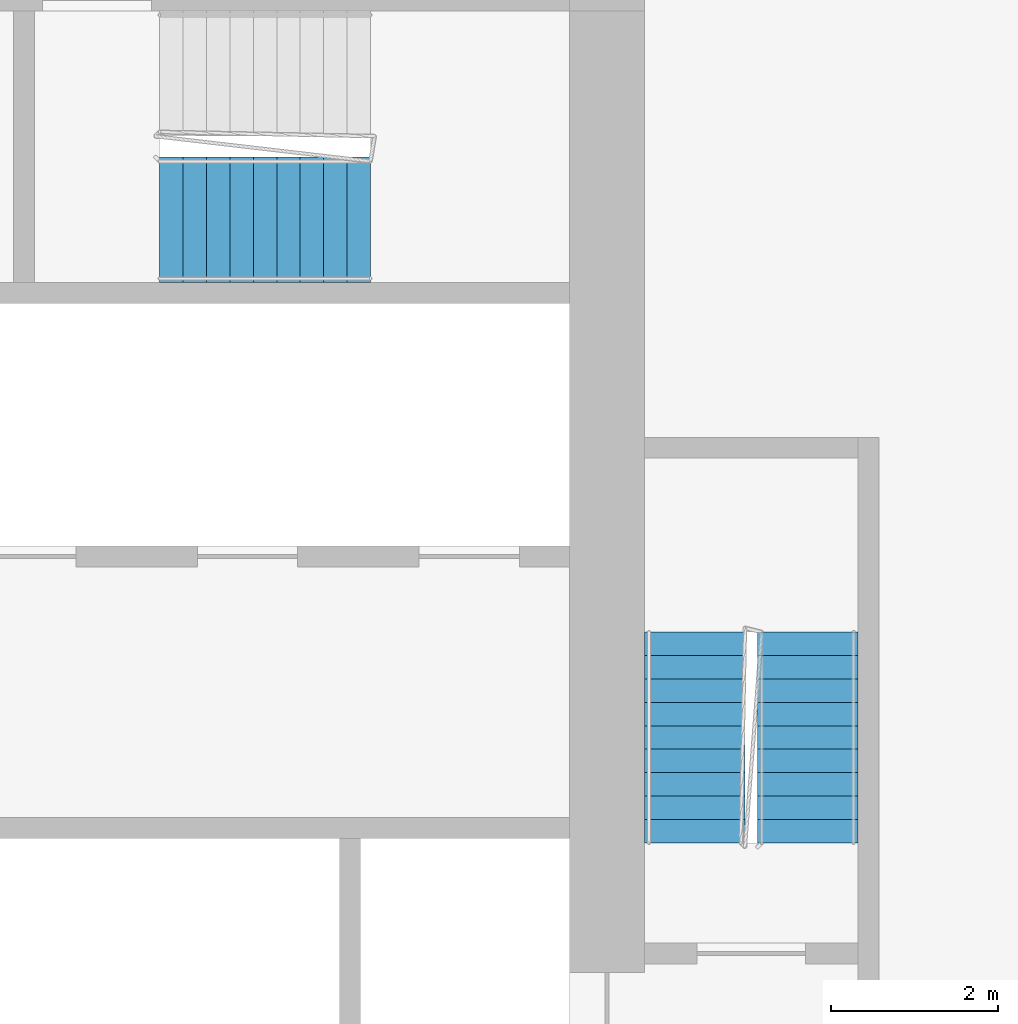
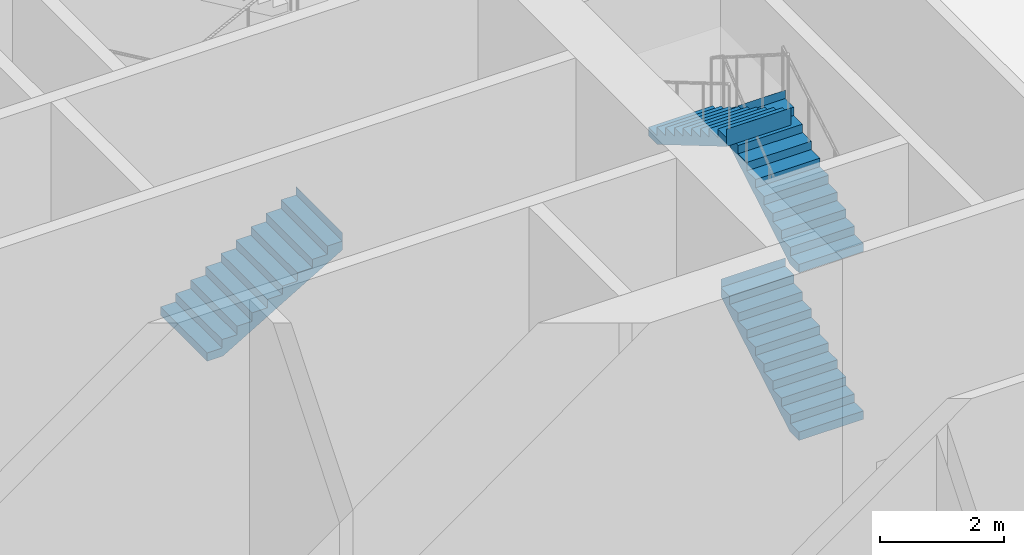
# One storey, part 21 of 25: 4 stair flights, 2 elements without a shape of their own.
"""IFC4 building model written with IfcOpenShell, lengths in metres."""

from ifc_helpers import new_model, si_unit, direction, frame, origin, place, context, subcontext, project, spatial, faceted_brep, material, type_object, element, aggregate, save


model = new_model("IFC4")

# Units and contexts
model_context = context("Model", 3, precision=1e-05, world=origin(), true_north=direction((0.0, 1.0)))
body_context = subcontext(model_context, "Body", "Model", "MODEL_VIEW")
ifc_project = project(units=[si_unit("LENGTHUNIT", "METRE"), si_unit("AREAUNIT", "SQUARE_METRE"), si_unit("VOLUMEUNIT", "CUBIC_METRE"), si_unit("PLANEANGLEUNIT", "RADIAN"), si_unit("MASSUNIT", "GRAM", prefix="KILO")], contexts=[model_context])

# Site, building, storey
site_placement = place(None, origin())
site = spatial("IfcSite", under=ifc_project, at=site_placement, CompositionType="ELEMENT")
building_placement = place(site_placement, origin())
building = spatial("IfcBuilding", under=site, at=building_placement, Name="Kajstack Hotel Tower", CompositionType="ELEMENT")
storey_placement = place(building_placement, frame((0.0, 0.0, 104.199951171875)))
storey = spatial("IfcBuildingStorey", under=building, at=storey_placement, Name="L22", CompositionType="ELEMENT", Elevation=104.199951171875)

# Stair, stair flights
ifc_material = material(Name="Concrete C40/50", Category="concrete")
stair_type_1 = type_object("IfcStairType", Name="Exit stair 1200", PredefinedType="HALF_TURN_STAIR", material=ifc_material)
stair_1_placement = place(storey_placement, origin())
stair_1 = element("IfcStair", 1, at=stair_1_placement, inside=storey, type_object=stair_type_1, Name="L22 stair E1", PredefinedType="HALF_TURN_STAIR")
stair_flight_type_1 = type_object("IfcStairFlightType", Name="Exit stair flight 1200", PredefinedType="STRAIGHT", material=ifc_material)
stair_flight_1_placement = place(storey_placement, frame((33.449951171875, 5.25, 0.0), z_axis=(0.0, 0.0, 1.0), x_axis=(0.0, 1.0, 0.0)))
stair_flight_1 = element("IfcStairFlight", 2, at=stair_flight_1_placement, type_object=stair_flight_type_1, Name="E1 flight 1", NumberOfRisers=10, NumberOfTreads=9, PredefinedType="STRAIGHT", RiserHeight=0.165, TreadLength=0.28, context=body_context, shape_type="Brep", body=[
    faceted_brep([(0.295654296875, -0.60009765625, 0.0), (2.5205078125, -0.60009765625, 1.31103515625), (2.5205078125, -0.60009765625, 1.64990234375), (2.52001953125, -0.60009765625, 1.64990234375), (2.52001953125, -0.60009765625, 1.485107421875), (2.239990234375, -0.60009765625, 1.485107421875), (2.239990234375, -0.60009765625, 1.320068359375), (1.9599609375, -0.60009765625, 1.320068359375), (1.9599609375, -0.60009765625, 1.155029296875), (1.679931640625, -0.60009765625, 1.155029296875), (1.679931640625, -0.60009765625, 0.989990234375), (1.39990234375, -0.60009765625, 0.989990234375), (1.39990234375, -0.60009765625, 0.824951171875), (1.1201171875, -0.60009765625, 0.824951171875), (1.1201171875, -0.60009765625, 0.659912109375), (0.840087890625, -0.60009765625, 0.659912109375), (0.840087890625, -0.60009765625, 0.4951171875), (0.56005859375, -0.60009765625, 0.4951171875), (0.56005859375, -0.60009765625, 0.330078125), (0.280029296875, -0.60009765625, 0.330078125), (0.280029296875, -0.60009765625, 0.1650390625), (-0.00048828125, -0.60009765625, 0.1650390625), (-0.00048828125, -0.60009765625, 0.0), (-0.00048828125, 0.60009765625, 0.0), (-0.00048828125, 0.60009765625, 0.1650390625), (0.280029296875, 0.60009765625, 0.1650390625), (0.280029296875, 0.60009765625, 0.330078125), (0.56005859375, 0.60009765625, 0.330078125), (0.56005859375, 0.60009765625, 0.4951171875), (0.840087890625, 0.60009765625, 0.4951171875), (0.840087890625, 0.60009765625, 0.659912109375), (1.1201171875, 0.60009765625, 0.659912109375), (1.1201171875, 0.60009765625, 0.824951171875), (1.39990234375, 0.60009765625, 0.824951171875), (1.39990234375, 0.60009765625, 0.989990234375), (1.679931640625, 0.60009765625, 0.989990234375), (1.679931640625, 0.60009765625, 1.155029296875), (1.9599609375, 0.60009765625, 1.155029296875), (1.9599609375, 0.60009765625, 1.320068359375), (2.239990234375, 0.60009765625, 1.320068359375), (2.239990234375, 0.60009765625, 1.485107421875), (2.52001953125, 0.60009765625, 1.485107421875), (2.52001953125, 0.60009765625, 1.64990234375), (2.5205078125, 0.60009765625, 1.64990234375), (2.5205078125, 0.60009765625, 1.31103515625), (0.295654296875, 0.60009765625, 0.0), (-0.00048828125, -0.300048828125, 0.1650390625), (-0.00048828125, 0.0, 0.1650390625), (-0.00048828125, 0.300048828125, 0.1650390625), (-0.00048828125, 0.300048828125, 0.0), (-0.00048828125, 0.0, 0.0), (-0.00048828125, -0.300048828125, 0.0), (0.280029296875, -0.300048828125, 0.1650390625), (0.280029296875, 0.0, 0.1650390625), (0.280029296875, 0.300048828125, 0.1650390625), (0.280029296875, -0.300048828125, 0.330078125), (0.280029296875, 0.0, 0.330078125), (0.280029296875, 0.300048828125, 0.330078125), (0.56005859375, -0.300048828125, 0.330078125), (0.56005859375, 0.0, 0.330078125), (0.56005859375, 0.300048828125, 0.330078125), (0.56005859375, -0.300048828125, 0.4951171875), (0.56005859375, 0.0, 0.4951171875), (0.56005859375, 0.300048828125, 0.4951171875), (0.840087890625, -0.300048828125, 0.4951171875), (0.840087890625, 0.0, 0.4951171875), (0.840087890625, 0.300048828125, 0.4951171875), (0.840087890625, -0.300048828125, 0.659912109375), (0.840087890625, 0.0, 0.659912109375), (0.840087890625, 0.300048828125, 0.659912109375), (1.1201171875, -0.300048828125, 0.659912109375), (1.1201171875, 0.0, 0.659912109375), (1.1201171875, 0.300048828125, 0.659912109375), (1.1201171875, -0.300048828125, 0.824951171875), (1.1201171875, 0.0, 0.824951171875), (1.1201171875, 0.300048828125, 0.824951171875), (1.39990234375, -0.300048828125, 0.824951171875), (1.39990234375, 0.0, 0.824951171875), (1.39990234375, 0.300048828125, 0.824951171875), (1.39990234375, -0.300048828125, 0.989990234375), (1.39990234375, 0.0, 0.989990234375), (1.39990234375, 0.300048828125, 0.989990234375), (1.679931640625, -0.300048828125, 0.989990234375), (1.679931640625, 0.0, 0.989990234375), (1.679931640625, 0.300048828125, 0.989990234375), (1.679931640625, -0.300048828125, 1.155029296875), (1.679931640625, 0.0, 1.155029296875), (1.679931640625, 0.300048828125, 1.155029296875), (1.9599609375, -0.300048828125, 1.155029296875), (1.9599609375, 0.0, 1.155029296875), (1.9599609375, 0.300048828125, 1.155029296875), (1.9599609375, -0.300048828125, 1.320068359375), (1.9599609375, 0.0, 1.320068359375), (1.9599609375, 0.300048828125, 1.320068359375), (2.239990234375, -0.300048828125, 1.320068359375), (2.239990234375, 0.0, 1.320068359375), (2.239990234375, 0.300048828125, 1.320068359375), (2.239990234375, -0.300048828125, 1.485107421875), (2.239990234375, 0.0, 1.485107421875), (2.239990234375, 0.300048828125, 1.485107421875), (2.52001953125, -0.300048828125, 1.485107421875), (2.52001953125, 0.0, 1.485107421875), (2.52001953125, 0.300048828125, 1.485107421875), (2.52001953125, -0.300048828125, 1.64990234375), (2.52001953125, 0.0, 1.64990234375), (2.52001953125, 0.300048828125, 1.64990234375), (2.5205078125, -0.300048828125, 1.64990234375), (2.5205078125, 0.0, 1.64990234375), (2.5205078125, 0.300048828125, 1.64990234375), (2.5205078125, -0.300048828125, 1.31103515625), (2.5205078125, 0.0, 1.31103515625), (2.5205078125, 0.300048828125, 1.31103515625), (0.295654296875, -0.300048828125, 0.0), (0.295654296875, 0.0, 0.0), (0.295654296875, 0.300048828125, 0.0)], [[[0, 1, 2, 3, 4, 5, 6, 7, 8, 9, 10, 11, 12, 13, 14, 15, 16, 17, 18, 19, 20, 21, 22]], [[23, 24, 25, 26, 27, 28, 29, 30, 31, 32, 33, 34, 35, 36, 37, 38, 39, 40, 41, 42, 43, 44, 45]], [[21, 46, 47, 48, 24, 23, 49, 50, 51, 22]], [[20, 52, 53, 54, 25, 24, 48, 47, 46, 21]], [[19, 55, 56, 57, 26, 25, 54, 53, 52, 20]], [[18, 58, 59, 60, 27, 26, 57, 56, 55, 19]], [[17, 61, 62, 63, 28, 27, 60, 59, 58, 18]], [[16, 64, 65, 66, 29, 28, 63, 62, 61, 17]], [[15, 67, 68, 69, 30, 29, 66, 65, 64, 16]], [[14, 70, 71, 72, 31, 30, 69, 68, 67, 15]], [[13, 73, 74, 75, 32, 31, 72, 71, 70, 14]], [[12, 76, 77, 78, 33, 32, 75, 74, 73, 13]], [[11, 79, 80, 81, 34, 33, 78, 77, 76, 12]], [[10, 82, 83, 84, 35, 34, 81, 80, 79, 11]], [[9, 85, 86, 87, 36, 35, 84, 83, 82, 10]], [[8, 88, 89, 90, 37, 36, 87, 86, 85, 9]], [[7, 91, 92, 93, 38, 37, 90, 89, 88, 8]], [[6, 94, 95, 96, 39, 38, 93, 92, 91, 7]], [[5, 97, 98, 99, 40, 39, 96, 95, 94, 6]], [[4, 100, 101, 102, 41, 40, 99, 98, 97, 5]], [[3, 103, 104, 105, 42, 41, 102, 101, 100, 4]], [[2, 106, 107, 108, 43, 42, 105, 104, 103, 3]], [[1, 109, 110, 111, 44, 43, 108, 107, 106, 2]], [[0, 112, 113, 114, 45, 44, 111, 110, 109, 1]], [[22, 51, 50, 49, 23, 45, 114, 113, 112, 0]]]),
])
stair_flight_2_placement = place(storey_placement, frame((33.449951171875, 5.25, 3.300048828125), z_axis=(0.0, 0.0, 1.0), x_axis=(0.0, 1.0, 0.0)))
stair_flight_2 = element("IfcStairFlight", 3, at=stair_flight_2_placement, type_object=stair_flight_type_1, Name="E1 flight 3", NumberOfRisers=10, NumberOfTreads=9, PredefinedType="STRAIGHT", RiserHeight=0.165, TreadLength=0.28, context=body_context, shape_type="Brep", body=[
    faceted_brep([(0.295654296875, -0.60009765625, 0.0), (2.5205078125, -0.60009765625, 1.31103515625), (2.5205078125, -0.60009765625, 1.64990234375), (2.52001953125, -0.60009765625, 1.64990234375), (2.52001953125, -0.60009765625, 1.485107421875), (2.239990234375, -0.60009765625, 1.485107421875), (2.239990234375, -0.60009765625, 1.320068359375), (1.9599609375, -0.60009765625, 1.320068359375), (1.9599609375, -0.60009765625, 1.155029296875), (1.679931640625, -0.60009765625, 1.155029296875), (1.679931640625, -0.60009765625, 0.989990234375), (1.39990234375, -0.60009765625, 0.989990234375), (1.39990234375, -0.60009765625, 0.824951171875), (1.1201171875, -0.60009765625, 0.824951171875), (1.1201171875, -0.60009765625, 0.659912109375), (0.840087890625, -0.60009765625, 0.659912109375), (0.840087890625, -0.60009765625, 0.4951171875), (0.56005859375, -0.60009765625, 0.4951171875), (0.56005859375, -0.60009765625, 0.330078125), (0.280029296875, -0.60009765625, 0.330078125), (0.280029296875, -0.60009765625, 0.1650390625), (-0.00048828125, -0.60009765625, 0.1650390625), (-0.00048828125, -0.60009765625, 0.0), (-0.00048828125, 0.60009765625, 0.0), (-0.00048828125, 0.60009765625, 0.1650390625), (0.280029296875, 0.60009765625, 0.1650390625), (0.280029296875, 0.60009765625, 0.330078125), (0.56005859375, 0.60009765625, 0.330078125), (0.56005859375, 0.60009765625, 0.4951171875), (0.840087890625, 0.60009765625, 0.4951171875), (0.840087890625, 0.60009765625, 0.659912109375), (1.1201171875, 0.60009765625, 0.659912109375), (1.1201171875, 0.60009765625, 0.824951171875), (1.39990234375, 0.60009765625, 0.824951171875), (1.39990234375, 0.60009765625, 0.989990234375), (1.679931640625, 0.60009765625, 0.989990234375), (1.679931640625, 0.60009765625, 1.155029296875), (1.9599609375, 0.60009765625, 1.155029296875), (1.9599609375, 0.60009765625, 1.320068359375), (2.239990234375, 0.60009765625, 1.320068359375), (2.239990234375, 0.60009765625, 1.485107421875), (2.52001953125, 0.60009765625, 1.485107421875), (2.52001953125, 0.60009765625, 1.64990234375), (2.5205078125, 0.60009765625, 1.64990234375), (2.5205078125, 0.60009765625, 1.31103515625), (0.295654296875, 0.60009765625, 0.0), (-0.00048828125, -0.300048828125, 0.1650390625), (-0.00048828125, 0.0, 0.1650390625), (-0.00048828125, 0.300048828125, 0.1650390625), (-0.00048828125, 0.300048828125, 0.0), (-0.00048828125, 0.0, 0.0), (-0.00048828125, -0.300048828125, 0.0), (0.280029296875, -0.300048828125, 0.1650390625), (0.280029296875, 0.0, 0.1650390625), (0.280029296875, 0.300048828125, 0.1650390625), (0.280029296875, -0.300048828125, 0.330078125), (0.280029296875, 0.0, 0.330078125), (0.280029296875, 0.300048828125, 0.330078125), (0.56005859375, -0.300048828125, 0.330078125), (0.56005859375, 0.0, 0.330078125), (0.56005859375, 0.300048828125, 0.330078125), (0.56005859375, -0.300048828125, 0.4951171875), (0.56005859375, 0.0, 0.4951171875), (0.56005859375, 0.300048828125, 0.4951171875), (0.840087890625, -0.300048828125, 0.4951171875), (0.840087890625, 0.0, 0.4951171875), (0.840087890625, 0.300048828125, 0.4951171875), (0.840087890625, -0.300048828125, 0.659912109375), (0.840087890625, 0.0, 0.659912109375), (0.840087890625, 0.300048828125, 0.659912109375), (1.1201171875, -0.300048828125, 0.659912109375), (1.1201171875, 0.0, 0.659912109375), (1.1201171875, 0.300048828125, 0.659912109375), (1.1201171875, -0.300048828125, 0.824951171875), (1.1201171875, 0.0, 0.824951171875), (1.1201171875, 0.300048828125, 0.824951171875), (1.39990234375, -0.300048828125, 0.824951171875), (1.39990234375, 0.0, 0.824951171875), (1.39990234375, 0.300048828125, 0.824951171875), (1.39990234375, -0.300048828125, 0.989990234375), (1.39990234375, 0.0, 0.989990234375), (1.39990234375, 0.300048828125, 0.989990234375), (1.679931640625, -0.300048828125, 0.989990234375), (1.679931640625, 0.0, 0.989990234375), (1.679931640625, 0.300048828125, 0.989990234375), (1.679931640625, -0.300048828125, 1.155029296875), (1.679931640625, 0.0, 1.155029296875), (1.679931640625, 0.300048828125, 1.155029296875), (1.9599609375, -0.300048828125, 1.155029296875), (1.9599609375, 0.0, 1.155029296875), (1.9599609375, 0.300048828125, 1.155029296875), (1.9599609375, -0.300048828125, 1.320068359375), (1.9599609375, 0.0, 1.320068359375), (1.9599609375, 0.300048828125, 1.320068359375), (2.239990234375, -0.300048828125, 1.320068359375), (2.239990234375, 0.0, 1.320068359375), (2.239990234375, 0.300048828125, 1.320068359375), (2.239990234375, -0.300048828125, 1.485107421875), (2.239990234375, 0.0, 1.485107421875), (2.239990234375, 0.300048828125, 1.485107421875), (2.52001953125, -0.300048828125, 1.485107421875), (2.52001953125, 0.0, 1.485107421875), (2.52001953125, 0.300048828125, 1.485107421875), (2.52001953125, -0.300048828125, 1.64990234375), (2.52001953125, 0.0, 1.64990234375), (2.52001953125, 0.300048828125, 1.64990234375), (2.5205078125, -0.300048828125, 1.64990234375), (2.5205078125, 0.0, 1.64990234375), (2.5205078125, 0.300048828125, 1.64990234375), (2.5205078125, -0.300048828125, 1.31103515625), (2.5205078125, 0.0, 1.31103515625), (2.5205078125, 0.300048828125, 1.31103515625), (0.295654296875, -0.300048828125, 0.0), (0.295654296875, 0.0, 0.0), (0.295654296875, 0.300048828125, 0.0)], [[[0, 1, 2, 3, 4, 5, 6, 7, 8, 9, 10, 11, 12, 13, 14, 15, 16, 17, 18, 19, 20, 21, 22]], [[23, 24, 25, 26, 27, 28, 29, 30, 31, 32, 33, 34, 35, 36, 37, 38, 39, 40, 41, 42, 43, 44, 45]], [[21, 46, 47, 48, 24, 23, 49, 50, 51, 22]], [[20, 52, 53, 54, 25, 24, 48, 47, 46, 21]], [[19, 55, 56, 57, 26, 25, 54, 53, 52, 20]], [[18, 58, 59, 60, 27, 26, 57, 56, 55, 19]], [[17, 61, 62, 63, 28, 27, 60, 59, 58, 18]], [[16, 64, 65, 66, 29, 28, 63, 62, 61, 17]], [[15, 67, 68, 69, 30, 29, 66, 65, 64, 16]], [[14, 70, 71, 72, 31, 30, 69, 68, 67, 15]], [[13, 73, 74, 75, 32, 31, 72, 71, 70, 14]], [[12, 76, 77, 78, 33, 32, 75, 74, 73, 13]], [[11, 79, 80, 81, 34, 33, 78, 77, 76, 12]], [[10, 82, 83, 84, 35, 34, 81, 80, 79, 11]], [[9, 85, 86, 87, 36, 35, 84, 83, 82, 10]], [[8, 88, 89, 90, 37, 36, 87, 86, 85, 9]], [[7, 91, 92, 93, 38, 37, 90, 89, 88, 8]], [[6, 94, 95, 96, 39, 38, 93, 92, 91, 7]], [[5, 97, 98, 99, 40, 39, 96, 95, 94, 6]], [[4, 100, 101, 102, 41, 40, 99, 98, 97, 5]], [[3, 103, 104, 105, 42, 41, 102, 101, 100, 4]], [[2, 106, 107, 108, 43, 42, 105, 104, 103, 3]], [[1, 109, 110, 111, 44, 43, 108, 107, 106, 2]], [[0, 112, 113, 114, 45, 44, 111, 110, 109, 1]], [[22, 51, 50, 49, 23, 45, 114, 113, 112, 0]]]),
])
stair_flight_3_placement = place(storey_placement, frame((32.10009765625, 7.77001953125, 4.949951171875), z_axis=(0.0, 0.0, 1.0), x_axis=(0.0, -1.0, 0.0)))
stair_flight_3 = element("IfcStairFlight", 4, at=stair_flight_3_placement, type_object=stair_flight_type_1, Name="E1 flight 4", NumberOfRisers=10, NumberOfTreads=9, PredefinedType="STRAIGHT", RiserHeight=0.165, TreadLength=0.28, context=body_context, shape_type="Brep", body=[
    faceted_brep([(0.295654296875, -0.60009765625, 0.0), (2.5205078125, -0.60009765625, 1.31103515625), (2.5205078125, -0.60009765625, 1.64990234375), (2.52001953125, -0.60009765625, 1.64990234375), (2.52001953125, -0.60009765625, 1.485107421875), (2.239990234375, -0.60009765625, 1.485107421875), (2.239990234375, -0.60009765625, 1.320068359375), (1.9599609375, -0.60009765625, 1.320068359375), (1.9599609375, -0.60009765625, 1.155029296875), (1.679931640625, -0.60009765625, 1.155029296875), (1.679931640625, -0.60009765625, 0.989990234375), (1.39990234375, -0.60009765625, 0.989990234375), (1.39990234375, -0.60009765625, 0.824951171875), (1.1201171875, -0.60009765625, 0.824951171875), (1.1201171875, -0.60009765625, 0.659912109375), (0.840087890625, -0.60009765625, 0.659912109375), (0.840087890625, -0.60009765625, 0.4951171875), (0.56005859375, -0.60009765625, 0.4951171875), (0.56005859375, -0.60009765625, 0.330078125), (0.280029296875, -0.60009765625, 0.330078125), (0.280029296875, -0.60009765625, 0.1650390625), (-0.00048828125, -0.60009765625, 0.1650390625), (-0.00048828125, -0.60009765625, 0.0), (-0.00048828125, 0.60009765625, 0.0), (-0.00048828125, 0.60009765625, 0.1650390625), (0.280029296875, 0.60009765625, 0.1650390625), (0.280029296875, 0.60009765625, 0.330078125), (0.56005859375, 0.60009765625, 0.330078125), (0.56005859375, 0.60009765625, 0.4951171875), (0.840087890625, 0.60009765625, 0.4951171875), (0.840087890625, 0.60009765625, 0.659912109375), (1.1201171875, 0.60009765625, 0.659912109375), (1.1201171875, 0.60009765625, 0.824951171875), (1.39990234375, 0.60009765625, 0.824951171875), (1.39990234375, 0.60009765625, 0.989990234375), (1.679931640625, 0.60009765625, 0.989990234375), (1.679931640625, 0.60009765625, 1.155029296875), (1.9599609375, 0.60009765625, 1.155029296875), (1.9599609375, 0.60009765625, 1.320068359375), (2.239990234375, 0.60009765625, 1.320068359375), (2.239990234375, 0.60009765625, 1.485107421875), (2.52001953125, 0.60009765625, 1.485107421875), (2.52001953125, 0.60009765625, 1.64990234375), (2.5205078125, 0.60009765625, 1.64990234375), (2.5205078125, 0.60009765625, 1.31103515625), (0.295654296875, 0.60009765625, 0.0), (-0.00048828125, -0.300048828125, 0.1650390625), (-0.00048828125, 0.0, 0.1650390625), (-0.00048828125, 0.300048828125, 0.1650390625), (-0.00048828125, 0.300048828125, 0.0), (-0.00048828125, 0.0, 0.0), (-0.00048828125, -0.300048828125, 0.0), (0.280029296875, -0.300048828125, 0.1650390625), (0.280029296875, 0.0, 0.1650390625), (0.280029296875, 0.300048828125, 0.1650390625), (0.280029296875, -0.300048828125, 0.330078125), (0.280029296875, 0.0, 0.330078125), (0.280029296875, 0.300048828125, 0.330078125), (0.56005859375, -0.300048828125, 0.330078125), (0.56005859375, 0.0, 0.330078125), (0.56005859375, 0.300048828125, 0.330078125), (0.56005859375, -0.300048828125, 0.4951171875), (0.56005859375, 0.0, 0.4951171875), (0.56005859375, 0.300048828125, 0.4951171875), (0.840087890625, -0.300048828125, 0.4951171875), (0.840087890625, 0.0, 0.4951171875), (0.840087890625, 0.300048828125, 0.4951171875), (0.840087890625, -0.300048828125, 0.659912109375), (0.840087890625, 0.0, 0.659912109375), (0.840087890625, 0.300048828125, 0.659912109375), (1.1201171875, -0.300048828125, 0.659912109375), (1.1201171875, 0.0, 0.659912109375), (1.1201171875, 0.300048828125, 0.659912109375), (1.1201171875, -0.300048828125, 0.824951171875), (1.1201171875, 0.0, 0.824951171875), (1.1201171875, 0.300048828125, 0.824951171875), (1.39990234375, -0.300048828125, 0.824951171875), (1.39990234375, 0.0, 0.824951171875), (1.39990234375, 0.300048828125, 0.824951171875), (1.39990234375, -0.300048828125, 0.989990234375), (1.39990234375, 0.0, 0.989990234375), (1.39990234375, 0.300048828125, 0.989990234375), (1.679931640625, -0.300048828125, 0.989990234375), (1.679931640625, 0.0, 0.989990234375), (1.679931640625, 0.300048828125, 0.989990234375), (1.679931640625, -0.300048828125, 1.155029296875), (1.679931640625, 0.0, 1.155029296875), (1.679931640625, 0.300048828125, 1.155029296875), (1.9599609375, -0.300048828125, 1.155029296875), (1.9599609375, 0.0, 1.155029296875), (1.9599609375, 0.300048828125, 1.155029296875), (1.9599609375, -0.300048828125, 1.320068359375), (1.9599609375, 0.0, 1.320068359375), (1.9599609375, 0.300048828125, 1.320068359375), (2.239990234375, -0.300048828125, 1.320068359375), (2.239990234375, 0.0, 1.320068359375), (2.239990234375, 0.300048828125, 1.320068359375), (2.239990234375, -0.300048828125, 1.485107421875), (2.239990234375, 0.0, 1.485107421875), (2.239990234375, 0.300048828125, 1.485107421875), (2.52001953125, -0.300048828125, 1.485107421875), (2.52001953125, 0.0, 1.485107421875), (2.52001953125, 0.300048828125, 1.485107421875), (2.52001953125, -0.300048828125, 1.64990234375), (2.52001953125, 0.0, 1.64990234375), (2.52001953125, 0.300048828125, 1.64990234375), (2.5205078125, -0.300048828125, 1.64990234375), (2.5205078125, 0.0, 1.64990234375), (2.5205078125, 0.300048828125, 1.64990234375), (2.5205078125, -0.300048828125, 1.31103515625), (2.5205078125, 0.0, 1.31103515625), (2.5205078125, 0.300048828125, 1.31103515625), (0.295654296875, -0.300048828125, 0.0), (0.295654296875, 0.0, 0.0), (0.295654296875, 0.300048828125, 0.0)], [[[0, 1, 2, 3, 4, 5, 6, 7, 8, 9, 10, 11, 12, 13, 14, 15, 16, 17, 18, 19, 20, 21, 22]], [[23, 24, 25, 26, 27, 28, 29, 30, 31, 32, 33, 34, 35, 36, 37, 38, 39, 40, 41, 42, 43, 44, 45]], [[21, 46, 47, 48, 24, 23, 49, 50, 51, 22]], [[20, 52, 53, 54, 25, 24, 48, 47, 46, 21]], [[19, 55, 56, 57, 26, 25, 54, 53, 52, 20]], [[18, 58, 59, 60, 27, 26, 57, 56, 55, 19]], [[17, 61, 62, 63, 28, 27, 60, 59, 58, 18]], [[16, 64, 65, 66, 29, 28, 63, 62, 61, 17]], [[15, 67, 68, 69, 30, 29, 66, 65, 64, 16]], [[14, 70, 71, 72, 31, 30, 69, 68, 67, 15]], [[13, 73, 74, 75, 32, 31, 72, 71, 70, 14]], [[12, 76, 77, 78, 33, 32, 75, 74, 73, 13]], [[11, 79, 80, 81, 34, 33, 78, 77, 76, 12]], [[10, 82, 83, 84, 35, 34, 81, 80, 79, 11]], [[9, 85, 86, 87, 36, 35, 84, 83, 82, 10]], [[8, 88, 89, 90, 37, 36, 87, 86, 85, 9]], [[7, 91, 92, 93, 38, 37, 90, 89, 88, 8]], [[6, 94, 95, 96, 39, 38, 93, 92, 91, 7]], [[5, 97, 98, 99, 40, 39, 96, 95, 94, 6]], [[4, 100, 101, 102, 41, 40, 99, 98, 97, 5]], [[3, 103, 104, 105, 42, 41, 102, 101, 100, 4]], [[2, 106, 107, 108, 43, 42, 105, 104, 103, 3]], [[1, 109, 110, 111, 44, 43, 108, 107, 106, 2]], [[0, 112, 113, 114, 45, 44, 111, 110, 109, 1]], [[22, 51, 50, 49, 23, 45, 114, 113, 112, 0]]]),
])
aggregate(stair_1, [stair_flight_1, stair_flight_2, stair_flight_3])

# Stair, stair flight
stair_type_2 = type_object("IfcStairType", Name="Exit stair 1500", PredefinedType="HALF_TURN_STAIR", material=ifc_material)
stair_2_placement = place(storey_placement, origin())
stair_2 = element("IfcStair", 5, at=stair_2_placement, inside=storey, type_object=stair_type_2, Name="L22 stair E3", PredefinedType="HALF_TURN_STAIR")
stair_flight_type_2 = type_object("IfcStairFlightType", Name="Exit stair flight 1500", PredefinedType="STRAIGHT", material=ifc_material)
stair_flight_4_placement = place(storey_placement, frame((25.699951171875, 12.699951171875, 0.0), z_axis=(0.0, 0.0, 1.0), x_axis=(1.0, 0.0, 0.0)))
stair_flight_4 = element("IfcStairFlight", 6, at=stair_flight_4_placement, type_object=stair_flight_type_2, Name="E3 flight 1", NumberOfRisers=10, NumberOfTreads=9, PredefinedType="STRAIGHT", RiserHeight=0.165, TreadLength=0.28, context=body_context, shape_type="Brep", body=[
    faceted_brep([(0.295654296875, -0.75, 0.0), (2.5205078125, -0.75, 1.31103515625), (2.5205078125, -0.75, 1.64990234375), (2.52001953125, -0.75, 1.64990234375), (2.52001953125, -0.75, 1.485107421875), (2.239990234375, -0.75, 1.485107421875), (2.239990234375, -0.75, 1.320068359375), (1.9599609375, -0.75, 1.320068359375), (1.9599609375, -0.75, 1.155029296875), (1.679931640625, -0.75, 1.155029296875), (1.679931640625, -0.75, 0.989990234375), (1.39990234375, -0.75, 0.989990234375), (1.39990234375, -0.75, 0.824951171875), (1.1201171875, -0.75, 0.824951171875), (1.1201171875, -0.75, 0.659912109375), (0.840087890625, -0.75, 0.659912109375), (0.840087890625, -0.75, 0.4951171875), (0.56005859375, -0.75, 0.4951171875), (0.56005859375, -0.75, 0.330078125), (0.280029296875, -0.75, 0.330078125), (0.280029296875, -0.75, 0.1650390625), (-0.00048828125, -0.75, 0.1650390625), (-0.00048828125, -0.75, 0.0), (-0.00048828125, 0.75, 0.0), (-0.00048828125, 0.75, 0.1650390625), (0.280029296875, 0.75, 0.1650390625), (0.280029296875, 0.75, 0.330078125), (0.56005859375, 0.75, 0.330078125), (0.56005859375, 0.75, 0.4951171875), (0.840087890625, 0.75, 0.4951171875), (0.840087890625, 0.75, 0.659912109375), (1.1201171875, 0.75, 0.659912109375), (1.1201171875, 0.75, 0.824951171875), (1.39990234375, 0.75, 0.824951171875), (1.39990234375, 0.75, 0.989990234375), (1.679931640625, 0.75, 0.989990234375), (1.679931640625, 0.75, 1.155029296875), (1.9599609375, 0.75, 1.155029296875), (1.9599609375, 0.75, 1.320068359375), (2.239990234375, 0.75, 1.320068359375), (2.239990234375, 0.75, 1.485107421875), (2.52001953125, 0.75, 1.485107421875), (2.52001953125, 0.75, 1.64990234375), (2.5205078125, 0.75, 1.64990234375), (2.5205078125, 0.75, 1.31103515625), (0.295654296875, 0.75, 0.0), (-0.00048828125, -0.375, 0.1650390625), (-0.00048828125, 0.0, 0.1650390625), (-0.00048828125, 0.375, 0.1650390625), (-0.00048828125, 0.375, 0.0), (-0.00048828125, 0.0, 0.0), (-0.00048828125, -0.375, 0.0), (0.280029296875, -0.375, 0.1650390625), (0.280029296875, 0.0, 0.1650390625), (0.280029296875, 0.375, 0.1650390625), (0.280029296875, -0.375, 0.330078125), (0.280029296875, 0.0, 0.330078125), (0.280029296875, 0.375, 0.330078125), (0.56005859375, -0.375, 0.330078125), (0.56005859375, 0.0, 0.330078125), (0.56005859375, 0.375, 0.330078125), (0.56005859375, -0.375, 0.4951171875), (0.56005859375, 0.0, 0.4951171875), (0.56005859375, 0.375, 0.4951171875), (0.840087890625, -0.375, 0.4951171875), (0.840087890625, 0.0, 0.4951171875), (0.840087890625, 0.375, 0.4951171875), (0.840087890625, -0.375, 0.659912109375), (0.840087890625, 0.0, 0.659912109375), (0.840087890625, 0.375, 0.659912109375), (1.1201171875, -0.375, 0.659912109375), (1.1201171875, 0.0, 0.659912109375), (1.1201171875, 0.375, 0.659912109375), (1.1201171875, -0.375, 0.824951171875), (1.1201171875, 0.0, 0.824951171875), (1.1201171875, 0.375, 0.824951171875), (1.39990234375, -0.375, 0.824951171875), (1.39990234375, 0.0, 0.824951171875), (1.39990234375, 0.375, 0.824951171875), (1.39990234375, -0.375, 0.989990234375), (1.39990234375, 0.0, 0.989990234375), (1.39990234375, 0.375, 0.989990234375), (1.679931640625, -0.375, 0.989990234375), (1.679931640625, 0.0, 0.989990234375), (1.679931640625, 0.375, 0.989990234375), (1.679931640625, -0.375, 1.155029296875), (1.679931640625, 0.0, 1.155029296875), (1.679931640625, 0.375, 1.155029296875), (1.9599609375, -0.375, 1.155029296875), (1.9599609375, 0.0, 1.155029296875), (1.9599609375, 0.375, 1.155029296875), (1.9599609375, -0.375, 1.320068359375), (1.9599609375, 0.0, 1.320068359375), (1.9599609375, 0.375, 1.320068359375), (2.239990234375, -0.375, 1.320068359375), (2.239990234375, 0.0, 1.320068359375), (2.239990234375, 0.375, 1.320068359375), (2.239990234375, -0.375, 1.485107421875), (2.239990234375, 0.0, 1.485107421875), (2.239990234375, 0.375, 1.485107421875), (2.52001953125, -0.375, 1.485107421875), (2.52001953125, 0.0, 1.485107421875), (2.52001953125, 0.375, 1.485107421875), (2.52001953125, -0.375, 1.64990234375), (2.52001953125, 0.0, 1.64990234375), (2.52001953125, 0.375, 1.64990234375), (2.5205078125, -0.375, 1.64990234375), (2.5205078125, 0.0, 1.64990234375), (2.5205078125, 0.375, 1.64990234375), (2.5205078125, -0.375, 1.31103515625), (2.5205078125, 0.0, 1.31103515625), (2.5205078125, 0.375, 1.31103515625), (0.295654296875, -0.375, 0.0), (0.295654296875, 0.0, 0.0), (0.295654296875, 0.375, 0.0)], [[[0, 1, 2, 3, 4, 5, 6, 7, 8, 9, 10, 11, 12, 13, 14, 15, 16, 17, 18, 19, 20, 21, 22]], [[23, 24, 25, 26, 27, 28, 29, 30, 31, 32, 33, 34, 35, 36, 37, 38, 39, 40, 41, 42, 43, 44, 45]], [[21, 46, 47, 48, 24, 23, 49, 50, 51, 22]], [[20, 52, 53, 54, 25, 24, 48, 47, 46, 21]], [[19, 55, 56, 57, 26, 25, 54, 53, 52, 20]], [[18, 58, 59, 60, 27, 26, 57, 56, 55, 19]], [[17, 61, 62, 63, 28, 27, 60, 59, 58, 18]], [[16, 64, 65, 66, 29, 28, 63, 62, 61, 17]], [[15, 67, 68, 69, 30, 29, 66, 65, 64, 16]], [[14, 70, 71, 72, 31, 30, 69, 68, 67, 15]], [[13, 73, 74, 75, 32, 31, 72, 71, 70, 14]], [[12, 76, 77, 78, 33, 32, 75, 74, 73, 13]], [[11, 79, 80, 81, 34, 33, 78, 77, 76, 12]], [[10, 82, 83, 84, 35, 34, 81, 80, 79, 11]], [[9, 85, 86, 87, 36, 35, 84, 83, 82, 10]], [[8, 88, 89, 90, 37, 36, 87, 86, 85, 9]], [[7, 91, 92, 93, 38, 37, 90, 89, 88, 8]], [[6, 94, 95, 96, 39, 38, 93, 92, 91, 7]], [[5, 97, 98, 99, 40, 39, 96, 95, 94, 6]], [[4, 100, 101, 102, 41, 40, 99, 98, 97, 5]], [[3, 103, 104, 105, 42, 41, 102, 101, 100, 4]], [[2, 106, 107, 108, 43, 42, 105, 104, 103, 3]], [[1, 109, 110, 111, 44, 43, 108, 107, 106, 2]], [[0, 112, 113, 114, 45, 44, 111, 110, 109, 1]], [[22, 51, 50, 49, 23, 45, 114, 113, 112, 0]]]),
])
aggregate(stair_2, [stair_flight_4])

save(model, "model.ifc")
